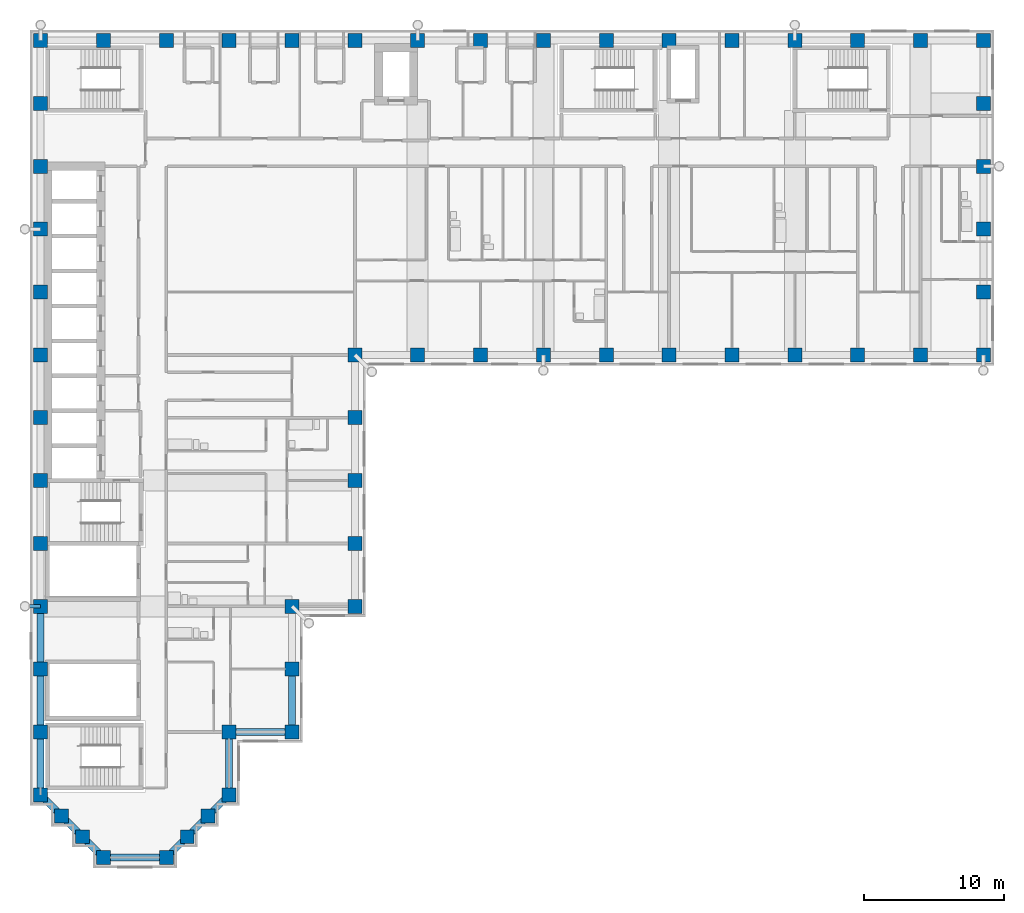
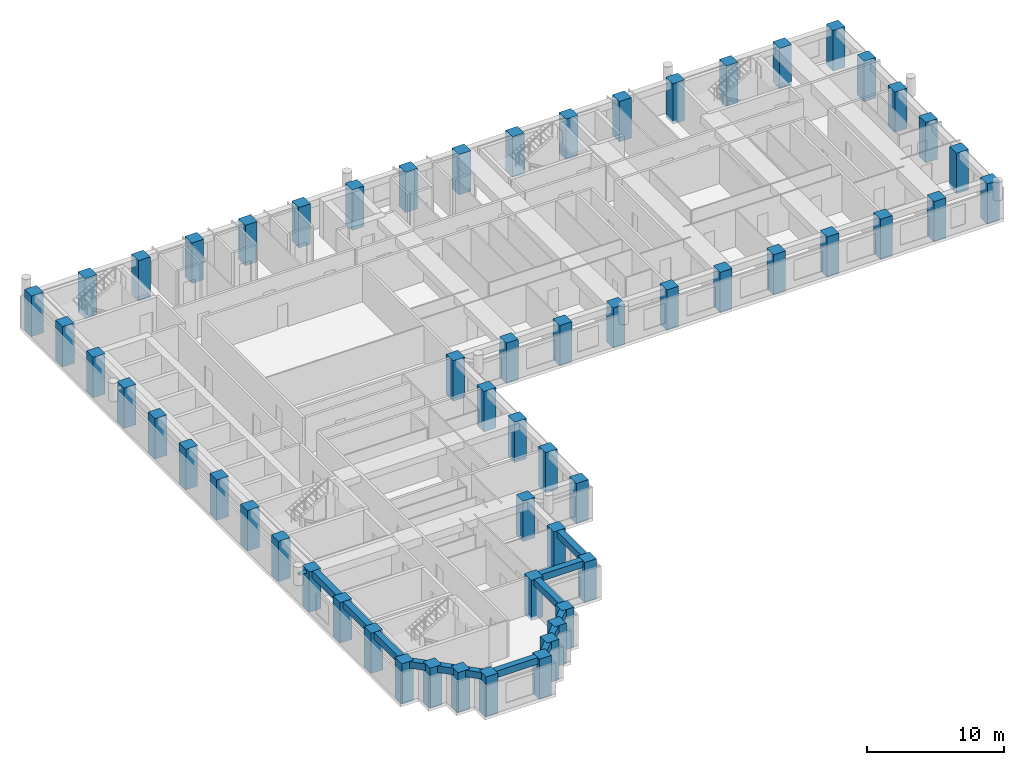
# One storey, part 1 of 14: 58 columns, 13 beams, 1 member.
"""IFC4 building model written with IfcOpenShell, lengths in metres."""

from ifc_helpers import new_model, si_unit, direction, frame, origin, origin_2d, place, context, subcontext, project, spatial, rectangle, hollow_circle, extrude, material, material_profile, profile_set, type_object, element, save


model = new_model("IFC4")

# Units and contexts
model_context = context("Model", 3, precision=1e-05, world=origin(), true_north=direction((0.0, 1.0)))
body_context = subcontext(model_context, "Body", "Model", "MODEL_VIEW")
ifc_project = project(units=[si_unit("LENGTHUNIT", "METRE"), si_unit("AREAUNIT", "SQUARE_METRE"), si_unit("VOLUMEUNIT", "CUBIC_METRE"), si_unit("PLANEANGLEUNIT", "RADIAN"), si_unit("MASSUNIT", "GRAM", prefix="KILO")], contexts=[model_context])

# Site, building, storey
site_placement = place(None, origin())
site = spatial("IfcSite", under=ifc_project, at=site_placement, CompositionType="ELEMENT")
building_placement = place(site_placement, origin())
building = spatial("IfcBuilding", under=site, at=building_placement, Name="Firuza Court", CompositionType="ELEMENT")
storey_placement = place(building_placement, frame((0.0, 0.0, 159.199951171875)))
storey = spatial("IfcBuildingStorey", under=building, at=storey_placement, Name="L40", CompositionType="ELEMENT", Elevation=159.199951171875)

# Columns
ifc_material_1 = material(Name="Concrete C60/75", Category="concrete")
ifc_material_profile_1 = material_profile(ifc_material_1, rectangle(XDim=1.0, YDim=1.0, at=origin_2d()), Name="RC 1000x1000")
ifc_profile_set_1 = profile_set([ifc_material_profile_1], Name="Concrete C60/75")
column_type = type_object("IfcColumnType", Name="Tube column RC 1000x1000 C60/75", PredefinedType="COLUMN", material=ifc_profile_set_1)
for number, where, z_axis, x_axis, name in (
    (1, (4.5, 0.0, -0.300048828125), (0.0, 0.0, 1.0), (1.0, 0.0, 0.0), "Column C-2D L40"),
    (2, (9.0, 0.0, -0.300048828125), (0.0, 0.0, 1.0), (1.0, 0.0, 0.0), "Column C-3D L40"),
    (3, (3.0, 1.5, -0.300048828125), (0.0, 0.0, 1.0), (1.0, 0.0, 0.0), "Column C-SA1 L40"),
    (4, (10.5, 1.5, -0.300048828125), (0.0, 0.0, 1.0), (1.0, 0.0, 0.0), "Column C-SA2 L40"),
    (5, (1.5, 3.0, -0.300048828125), (0.0, 0.0, 1.0), (1.0, 0.0, 0.0), "Column C-SA3 L40"),
    (6, (12.0, 3.0, -0.300048828125), (0.0, 0.0, 1.0), (1.0, 0.0, 0.0), "Column C-SA4 L40"),
    (7, (0.0, 4.5, -0.300048828125), (0.0, 0.0, 1.0), (1.0, 0.0, 0.0), "Column C-1E L40"),
    (8, (13.5, 4.5, -0.300048828125), (0.0, 0.0, 1.0), (1.0, 0.0, 0.0), "Column C-4E L40"),
    (9, (0.0, 9.0, -0.300048828125), (0.0, 0.0, 1.0), (1.0, 0.0, 0.0), "Column C-1F L40"),
    (10, (13.5, 9.0, -0.300048828125), (0.0, 0.0, 1.0), (1.0, 0.0, 0.0), "Column C-4F L40"),
    (11, (18.0, 9.0, -0.300048828125), (0.0, 0.0, 1.0), (1.0, 0.0, 0.0), "Column C-5F L40"),
    (12, (0.0, 13.5, -0.300048828125), (0.0, 0.0, 1.0), (1.0, 0.0, 0.0), "Column C-1G L40"),
    (13, (18.0, 13.5, -0.300048828125), (0.0, 0.0, 1.0), (1.0, 0.0, 0.0), "Column C-5G L40"),
    (14, (0.0, 18.0, -0.300048828125), (0.0, 0.0, 1.0), (1.0, 0.0, 0.0), "Column C-1H L40"),
    (15, (18.0, 18.0, -0.300048828125), (0.0, 0.0, 1.0), (1.0, 0.0, 0.0), "Column C-5H L40"),
    (16, (22.5, 18.0, -0.300048828125), (0.0, 0.0, 1.0), (1.0, 0.0, 0.0), "Column C-6H L40"),
    (17, (0.0, 22.5, -0.300048828125), (0.0, 0.0, 1.0), (1.0, 0.0, 0.0), "Column C-1J L40"),
    (18, (22.5, 22.5, -0.300048828125), (0.0, 0.0, 1.0), (1.0, 0.0, 0.0), "Column C-6J L40"),
    (19, (0.0, 27.0, -0.300048828125), (0.0, 0.0, 1.0), (1.0, 0.0, 0.0), "Column C-1K L40"),
    (20, (22.5, 27.0, -0.300048828125), (0.0, 0.0, 1.0), (1.0, 0.0, 0.0), "Column C-6K L40"),
    (21, (0.0, 31.5, -0.300048828125), (0.0, 0.0, 1.0), (1.0, 0.0, 0.0), "Column C-1L L40"),
    (22, (22.5, 31.5, -0.300048828125), (0.0, 0.0, 1.0), (1.0, 0.0, 0.0), "Column C-6L L40"),
    (23, (0.0, 36.0, -0.300048828125), (0.0, 0.0, 1.0), (1.0, 0.0, 0.0), "Column C-1M L40"),
    (24, (22.5, 36.0, -0.300048828125), (0.0, 0.0, 1.0), (1.0, 0.0, 0.0), "Column C-6M L40"),
    (25, (27.0, 36.0, -0.300048828125), (0.0, 0.0, 1.0), (1.0, 0.0, 0.0), "Column C-7M L40"),
    (26, (31.5, 36.0, -0.300048828125), (0.0, 0.0, 1.0), (1.0, 0.0, 0.0), "Column C-8M L40"),
    (27, (36.0, 36.0, -0.300048828125), (0.0, 0.0, 1.0), (1.0, 0.0, 0.0), "Column C-9M L40"),
    (28, (40.5, 36.0, -0.300048828125), (0.0, 0.0, 1.0), (1.0, 0.0, 0.0), "Column C-10M L40"),
    (29, (45.0, 36.0, -0.300048828125), (0.0, 0.0, 1.0), (1.0, 0.0, 0.0), "Column C-11M L40"),
    (30, (49.5, 36.0, -0.300048828125), (0.0, 0.0, 1.0), (1.0, 0.0, 0.0), "Column C-12M L40"),
    (31, (54.0, 36.0, -0.300048828125), (0.0, 0.0, 1.0), (1.0, 0.0, 0.0), "Column C-13M L40"),
    (32, (58.5, 36.0, -0.300048828125), (0.0, 0.0, 1.0), (1.0, 0.0, 0.0), "Column C-14M L40"),
    (33, (63.0, 36.0, -0.300048828125), (0.0, 0.0, 1.0), (1.0, 0.0, 0.0), "Column C-15M L40"),
    (34, (67.5, 36.0, -0.300048828125), (0.0, 0.0, 1.0), (1.0, 0.0, 0.0), "Column C-16M L40"),
    (35, (0.0, 40.5, -0.300048828125), (0.0, 0.0, 1.0), (1.0, 0.0, 0.0), "Column C-1N L40"),
    (36, (67.5, 40.5, -0.300048828125), (0.0, 0.0, 1.0), (1.0, 0.0, 0.0), "Column C-16N L40"),
    (37, (0.0, 45.0, -0.300048828125), (0.0, 0.0, 1.0), (1.0, 0.0, 0.0), "Column C-1P L40"),
    (38, (67.5, 45.0, -0.300048828125), (0.0, 0.0, 1.0), (1.0, 0.0, 0.0), "Column C-16P L40"),
    (39, (0.0, 49.5, -0.300048828125), (0.0, 0.0, 1.0), (1.0, 0.0, 0.0), "Column C-1Q L40"),
    (40, (67.5, 49.5, -0.300048828125), (0.0, 0.0, 1.0), (1.0, 0.0, 0.0), "Column C-16Q L40"),
    (41, (0.0, 54.0, -0.300048828125), (0.0, 0.0, 1.0), (1.0, 0.0, 0.0), "Column C-1R L40"),
    (42, (67.5, 54.0, -0.300048828125), (0.0, 0.0, 1.0), (1.0, 0.0, 0.0), "Column C-16R L40"),
    (43, (0.0, 58.5, -0.300048828125), (0.0, 0.0, 1.0), (1.0, 0.0, 0.0), "Column C-1S L40"),
    (44, (4.5, 58.5, -0.300048828125), (0.0, 0.0, 1.0), (1.0, 0.0, 0.0), "Column C-2S L40"),
    (45, (9.0, 58.5, -0.300048828125), (0.0, 0.0, 1.0), (1.0, 0.0, 0.0), "Column C-3S L40"),
    (46, (13.5, 58.5, -0.300048828125), (0.0, 0.0, 1.0), (1.0, 0.0, 0.0), "Column C-4S L40"),
    (47, (18.0, 58.5, -0.300048828125), (0.0, 0.0, 1.0), (1.0, 0.0, 0.0), "Column C-5S L40"),
    (48, (22.5, 58.5, -0.300048828125), (0.0, 0.0, 1.0), (1.0, 0.0, 0.0), "Column C-6S L40"),
    (49, (27.0, 58.5, -0.300048828125), (0.0, 0.0, 1.0), (1.0, 0.0, 0.0), "Column C-7S L40"),
    (50, (31.5, 58.5, -0.300048828125), (0.0, 0.0, 1.0), (1.0, 0.0, 0.0), "Column C-8S L40"),
    (51, (36.0, 58.5, -0.300048828125), (0.0, 0.0, 1.0), (1.0, 0.0, 0.0), "Column C-9S L40"),
    (52, (40.5, 58.5, -0.300048828125), (0.0, 0.0, 1.0), (1.0, 0.0, 0.0), "Column C-10S L40"),
    (53, (45.0, 58.5, -0.300048828125), (0.0, 0.0, 1.0), (1.0, 0.0, 0.0), "Column C-11S L40"),
    (54, (49.5, 58.5, -0.300048828125), (0.0, 0.0, 1.0), (1.0, 0.0, 0.0), "Column C-12S L40"),
    (55, (54.0, 58.5, -0.300048828125), (0.0, 0.0, 1.0), (1.0, 0.0, 0.0), "Column C-13S L40"),
    (56, (58.5, 58.5, -0.300048828125), (0.0, 0.0, 1.0), (1.0, 0.0, 0.0), "Column C-14S L40"),
    (57, (63.0, 58.5, -0.300048828125), (0.0, 0.0, 1.0), (1.0, 0.0, 0.0), "Column C-15S L40"),
    (58, (67.5, 58.5, -0.300048828125), (0.0, 0.0, 1.0), (1.0, 0.0, 0.0), "Column C-16S L40"),
):
    element("IfcColumn", number, at=place(storey_placement, frame(where, z_axis=z_axis, x_axis=x_axis)), inside=storey, type_object=column_type, Name=name, PredefinedType="COLUMN", context=body_context, shape_type="SweptSolid", body=[
        extrude(rectangle(XDim=1.0, YDim=1.0, at=origin_2d()), origin(), (0.0, 0.0, 1.0), 3.60009765625),
    ])

# Member
ifc_material_2 = material(Name="Steel S355", Category="steel")
ifc_material_profile_2 = material_profile(ifc_material_2, hollow_circle(Radius=0.136474609375, WallThickness=0.012451171875, at=origin_2d()), Name="CHS 273x12.5")
ifc_profile_set_2 = profile_set([ifc_material_profile_2], Name="Steel S355")
member_type = type_object("IfcMemberType", Name="Diagrid tie CHS 273x12.5 S355", PredefinedType="STRUT", material=ifc_profile_set_2)
member_placement = place(storey_placement, frame((0.0, 18.0, 3.050048828125), z_axis=(-1.0, 0.0, 0.0), x_axis=(0.0, -1.0, 0.0)))
element("IfcMember", 59, at=member_placement, inside=storey, type_object=member_type, Name="Diagrid tie level L41", PredefinedType="STRUT", context=body_context, shape_type="SweptSolid", body=[
    extrude(hollow_circle(Radius=0.136474609375, WallThickness=0.012451171875, at=origin_2d()), origin(), (0.0, 0.0, 1.0), 1.1201171875),
])

# Beams
ifc_material_3 = material(Name="Concrete C40/50", Category="concrete")
ifc_material_profile_3 = material_profile(ifc_material_3, rectangle(XDim=0.5, YDim=0.60009765625, at=origin_2d()), Name="RC 500x600")
ifc_profile_set_3 = profile_set([ifc_material_profile_3], Name="Concrete C40/50")
beam_type = type_object("IfcBeamType", Name="Spandrel beam RC 500x600 C40/50", PredefinedType="BEAM", material=ifc_profile_set_3)
beam_1_placement = place(storey_placement, frame((0.0, 4.5, 3.0), z_axis=(0.707106781187, -0.707106781187, 0.0), x_axis=(0.707106781187, 0.707106781187, 0.0)))
element("IfcBeam", 60, at=beam_1_placement, inside=storey, type_object=beam_type, Name="Spandrel beam SP13 level L41", PredefinedType="BEAM", context=body_context, shape_type="SweptSolid", body=[
    extrude(rectangle(XDim=0.5, YDim=0.60009765625, at=origin_2d()), origin(), (0.0, 0.0, 1.0), 2.121337890625),
])
for number, where, z_axis, x_axis, name in (
    (61, (0.0, 9.0, 3.0), (0.0, -1.0, 0.0), (1.0, 0.0, 0.0), "Spandrel beam SP13 level L41"),
    (62, (0.0, 13.5, 3.0), (0.0, -1.0, 0.0), (1.0, 0.0, 0.0), "Spandrel beam SP13 level L41"),
    (63, (0.0, 18.0, 3.0), (0.0, -1.0, 0.0), (1.0, 0.0, 0.0), "Spandrel beam SP13 level L41"),
):
    element("IfcBeam", number, at=place(storey_placement, frame(where, z_axis=z_axis, x_axis=x_axis)), inside=storey, type_object=beam_type, Name=name, PredefinedType="BEAM", context=body_context, shape_type="SweptSolid", body=[
        extrude(rectangle(XDim=0.5, YDim=0.60009765625, at=origin_2d()), origin(), (0.0, 0.0, 1.0), 4.5),
    ])
for number, where, z_axis, x_axis, name in (
    (64, (1.5, 3.0, 3.0), (0.707106781187, -0.707106781187, 0.0), (0.707106781187, 0.707106781187, 0.0), "Spandrel beam SP13 level L41"),
    (65, (3.0, 1.5, 3.0), (0.707106781187, -0.707106781187, 0.0), (0.707106781187, 0.707106781187, 0.0), "Spandrel beam SP13 level L41"),
):
    element("IfcBeam", number, at=place(storey_placement, frame(where, z_axis=z_axis, x_axis=x_axis)), inside=storey, type_object=beam_type, Name=name, PredefinedType="BEAM", context=body_context, shape_type="SweptSolid", body=[
        extrude(rectangle(XDim=0.5, YDim=0.60009765625, at=origin_2d()), origin(), (0.0, 0.0, 1.0), 2.121337890625),
    ])
beam_2_placement = place(storey_placement, frame((4.5, 0.0, 3.0), z_axis=(1.0, 0.0, 0.0), x_axis=(0.0, 1.0, 0.0)))
element("IfcBeam", 66, at=beam_2_placement, inside=storey, type_object=beam_type, Name="Spandrel beam SP13 level L41", PredefinedType="BEAM", context=body_context, shape_type="SweptSolid", body=[
    extrude(rectangle(XDim=0.5, YDim=0.60009765625, at=origin_2d()), origin(), (0.0, 0.0, 1.0), 4.5),
])
for number, where, z_axis, x_axis, name in (
    (67, (9.0, 0.0, 3.0), (0.707106781187, 0.707106781187, 0.0), (-0.707106781187, 0.707106781187, 0.0), "Spandrel beam SP13 level L41"),
    (68, (10.5, 1.5, 3.0), (0.707106781187, 0.707106781187, 0.0), (-0.707106781187, 0.707106781187, 0.0), "Spandrel beam SP13 level L41"),
    (69, (12.0, 3.0, 3.0), (0.707106781187, 0.707106781187, 0.0), (-0.707106781187, 0.707106781187, 0.0), "Spandrel beam SP13 level L41"),
):
    element("IfcBeam", number, at=place(storey_placement, frame(where, z_axis=z_axis, x_axis=x_axis)), inside=storey, type_object=beam_type, Name=name, PredefinedType="BEAM", context=body_context, shape_type="SweptSolid", body=[
        extrude(rectangle(XDim=0.5, YDim=0.60009765625, at=origin_2d()), origin(), (0.0, 0.0, 1.0), 2.121337890625),
    ])
for number, where, z_axis, x_axis, name in (
    (70, (13.5, 4.5, 3.0), (0.0, 1.0, 0.0), (-1.0, 0.0, 0.0), "Spandrel beam SP13 level L41"),
    (71, (13.5, 9.0, 3.0), (1.0, 0.0, 0.0), (0.0, 1.0, 0.0), "Spandrel beam SP13 level L41"),
    (72, (18.0, 9.0, 3.0), (0.0, 1.0, 0.0), (-1.0, 0.0, 0.0), "Spandrel beam SP13 level L41"),
):
    element("IfcBeam", number, at=place(storey_placement, frame(where, z_axis=z_axis, x_axis=x_axis)), inside=storey, type_object=beam_type, Name=name, PredefinedType="BEAM", context=body_context, shape_type="SweptSolid", body=[
        extrude(rectangle(XDim=0.5, YDim=0.60009765625, at=origin_2d()), origin(), (0.0, 0.0, 1.0), 4.5),
    ])

save(model, "model.ifc")
